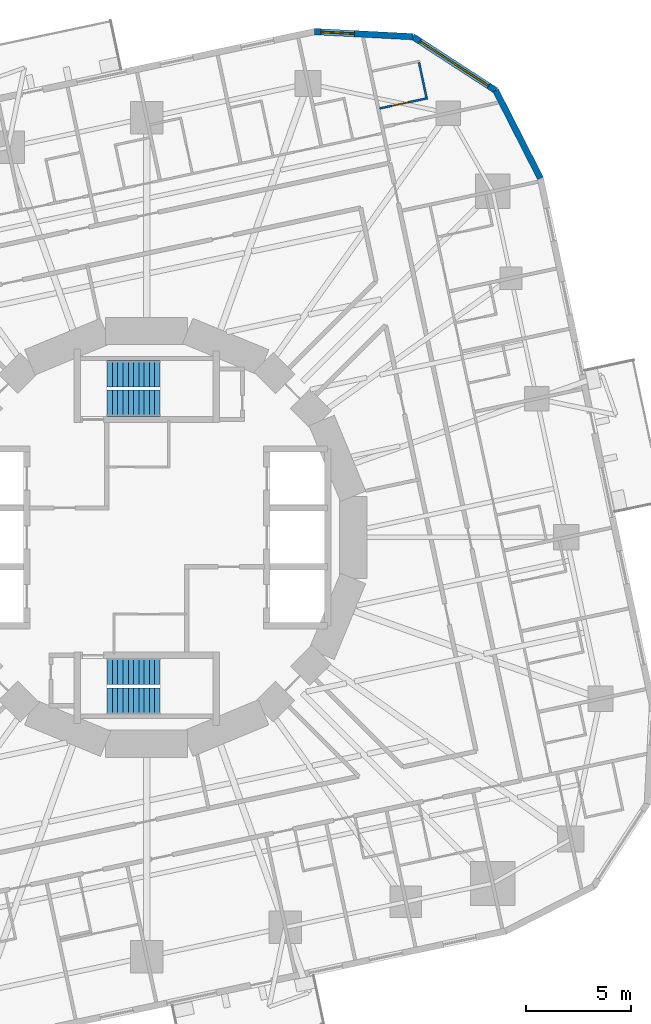
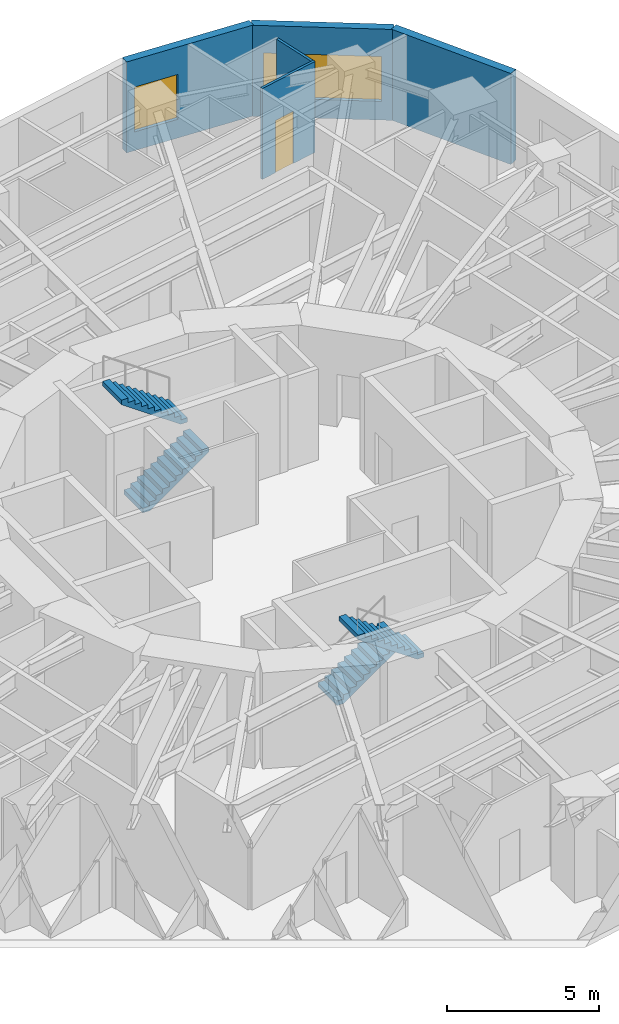
# One storey, part 12 of 14: 5 walls, 4 stair flights, 2 windows, 1 door, 3 openings, 2 elements without a shape of their own.
"""IFC4 building model written with IfcOpenShell, lengths in metres."""

import ifcopenshell
import ifcopenshell.guid

model = None  # the IFC model being written
_history = None  # IfcOwnerHistory: only IFC2X3 demands one
_inside = {}  # id of a spatial element -> (the spatial element, [elements in it])
_under = {}  # id of a project, library or spatial element -> (it, [spatial elements below it])
_declared = {}  # id of a project -> (the project, [libraries it declares])
_typed = {}  # id of a type object -> (the type object, [elements of that type])
_made_of = {}  # id of a material, layer set ... -> (it, [elements and type objects made of it])


def new_model(schema):
    """Start an empty IFC model of exactly this schema.

    Asked for "IFC4X3", IfcOpenShell would pick the latest addendum, in which some entities
    have other attributes; the version numbers below select the first issue.
    IFC2X3 requires an IfcOwnerHistory on every rooted entity: one is made here for all.
    """
    global model, _history
    if schema == "IFC4X3":
        model = ifcopenshell.file(schema_version=(4, 3, 0, 0))
    else:
        model = ifcopenshell.file(schema=schema)
    _inside.clear()
    _under.clear()
    _declared.clear()
    _typed.clear()
    _made_of.clear()
    _history = None
    if model.schema == "IFC2X3":
        org = make("IfcOrganization", Name="unknown")
        user = make(
            "IfcPersonAndOrganization",
            ThePerson=make("IfcPerson", FamilyName="unknown"),
            TheOrganization=org,
        )
        app = make(
            "IfcApplication",
            ApplicationDeveloper=org,
            Version="unknown",
            ApplicationFullName="unknown",
            ApplicationIdentifier="unknown",
        )
        _history = make(
            "IfcOwnerHistory",
            OwningUser=user,
            OwningApplication=app,
            ChangeAction="ADDED",
            CreationDate=0,
        )
    return model


def make(cls, **values):
    """One entity of the class cls with the attributes given. An attribute that is None is left unset."""
    return model.create_entity(
        cls, **{name: value for name, value in values.items() if value is not None}
    )


def rooted(cls, **values):
    """An entity with a GlobalId (a new one), such as an element, a storey or a relation."""
    return make(cls, GlobalId=ifcopenshell.guid.new(), OwnerHistory=_history, **values)


def si_unit(unit_type, name, prefix=None):
    """IfcSIUnit, for example si_unit("LENGTHUNIT", "METRE", prefix="MILLI")."""
    return make("IfcSIUnit", UnitType=unit_type, Prefix=prefix, Name=name)


def assignment(units):
    """IfcUnitAssignment: the units of a project."""
    return None if units is None else make("IfcUnitAssignment", Units=units)


def point(xyz):
    """IfcCartesianPoint."""
    return None if xyz is None else make("IfcCartesianPoint", Coordinates=xyz)


def direction(xyz):
    """IfcDirection."""
    return None if xyz is None else make("IfcDirection", DirectionRatios=xyz)


def frame(location, z_axis=None, x_axis=None):
    """IfcAxis2Placement3D, a coordinate frame: its origin and axes. An axis left out is left unset."""
    return make(
        "IfcAxis2Placement3D",
        Location=point(location),
        Axis=direction(z_axis),
        RefDirection=direction(x_axis),
    )


def frame_2d(location, x_axis=None):
    """IfcAxis2Placement2D, a coordinate frame in the plane: its origin and x axis."""
    return make(
        "IfcAxis2Placement2D", Location=point(location), RefDirection=direction(x_axis)
    )


def origin():
    """The frame at (0, 0, 0) with its axes left unset."""
    return frame((0.0, 0.0, 0.0))


def place(relative_to, where):
    """IfcLocalPlacement: puts the frame where relative to a parent placement (None: the world)."""
    return make(
        "IfcLocalPlacement", PlacementRelTo=relative_to, RelativePlacement=where
    )


def context(
    kind, dimensions, precision=None, world=None, true_north=None, identifier=None
):
    """IfcGeometricRepresentationContext, for example the 3D "Model" context."""
    return make(
        "IfcGeometricRepresentationContext",
        ContextIdentifier=identifier,
        ContextType=kind,
        CoordinateSpaceDimension=dimensions,
        Precision=precision,
        WorldCoordinateSystem=world,
        TrueNorth=true_north,
    )


def subcontext(parent, identifier, kind, view, scale=None):
    """IfcGeometricRepresentationSubContext, for example "Body" below "Model"."""
    return make(
        "IfcGeometricRepresentationSubContext",
        ContextIdentifier=identifier,
        ContextType=kind,
        ParentContext=parent,
        TargetScale=scale,
        TargetView=view,
    )


def project(units=None, contexts=None):
    """IfcProject with its units and contexts."""
    return rooted(
        "IfcProject",
        Name="project",
        RepresentationContexts=contexts,
        UnitsInContext=assignment(units),
    )


def spatial(cls, under=None, at=None, **own):
    """A site, building, storey or space (cls), placed at a placement, below another one or the project."""
    s = rooted(cls, ObjectPlacement=at, **own)
    if under is not None:
        _under.setdefault(under.id(), (under, []))[1].append(s)
    return s


def polyline(points):
    """IfcPolyline through the points."""
    return make("IfcPolyline", Points=[point(p) for p in points])


def profile(cls, at=None, kind="AREA", **sizes):
    """A parametric profile (cls). Its sizes go by their IFC names, for example OverallWidth=200.0."""
    return make(cls, ProfileType=kind, Position=at, **sizes)


def rectangle(**sizes):
    """IfcRectangleProfileDef."""
    return profile("IfcRectangleProfileDef", **sizes)


def outline(outer, holes=None, kind="AREA"):
    """IfcArbitraryClosedProfileDef: a profile drawn as a closed curve; with holes, ...WithVoids."""
    if holes is None:
        return make("IfcArbitraryClosedProfileDef", ProfileType=kind, OuterCurve=outer)
    return make(
        "IfcArbitraryProfileDefWithVoids",
        ProfileType=kind,
        OuterCurve=outer,
        InnerCurves=holes,
    )


def extrude(swept, where, along, depth):
    """IfcExtrudedAreaSolid: the profile swept, set in the frame where, extruded along a direction by depth."""
    return make(
        "IfcExtrudedAreaSolid",
        SweptArea=swept,
        Position=where,
        ExtrudedDirection=direction(along),
        Depth=depth,
    )


def shape(context_of_items, identifier, shape_type, items):
    """IfcShapeRepresentation: the items that make up one representation, for example the "Body"."""
    return make(
        "IfcShapeRepresentation",
        ContextOfItems=context_of_items,
        RepresentationIdentifier=identifier,
        RepresentationType=shape_type,
        Items=items,
    )


def material(Name=None, Category=None):
    """IfcMaterial."""
    return make("IfcMaterial", Name=Name, Category=Category)


def layer(
    of_material, thickness, ventilated=None, Name=None, Category=None, Priority=None
):
    """IfcMaterialLayer: one layer of a wall or slab, of a material (None: an air gap)."""
    return make(
        "IfcMaterialLayer",
        Material=of_material,
        LayerThickness=thickness,
        IsVentilated=ventilated,
        Name=Name,
        Category=Category,
        Priority=Priority,
    )


def layer_set(layers, Name=None):
    """IfcMaterialLayerSet."""
    return make("IfcMaterialLayerSet", MaterialLayers=layers, LayerSetName=Name)


def made_of(thing, what):
    """Note that an element or type object is made of a material, layer set ...; save() writes the relation."""
    if what is not None:
        _made_of.setdefault(what.id(), (what, []))[1].append(thing)
    return thing


def type_object(cls, material=None, **own):
    """A type object (cls), such as IfcWallType, which elements share."""
    return made_of(rooted(cls, **own), material)


def element(
    cls,
    number,
    at=None,
    inside=None,
    cuts=None,
    type_object=None,
    material=None,
    context=None,
    identifier="Body",
    shape_type=None,
    held_by="IfcProductDefinitionShape",
    body=None,
    shapes=None,
    **own,
):
    """One element of the class cls, such as IfcWall. Its Tag is "e" and its number.

    at: its placement. inside: the storey or other place that contains it. cuts: it is an
    opening in that element (IfcRelVoidsElement). A single representation is given by context,
    identifier, shape_type and body (its items); several are given by shapes. held_by: the class
    of the entity that holds the representations. save() writes the other relations.
    """
    e = rooted(cls, Tag="e%d" % number, ObjectPlacement=at, **own)
    if body is not None:
        shapes = [shape(context, identifier, shape_type, body)]
    if shapes is not None:
        e.Representation = make(held_by, Representations=shapes)
    if inside is not None:
        _inside.setdefault(inside.id(), (inside, []))[1].append(e)
    if cuts is not None:
        rooted(
            "IfcRelVoidsElement", RelatingBuildingElement=cuts, RelatedOpeningElement=e
        )
    if type_object is not None:
        _typed.setdefault(type_object.id(), (type_object, []))[1].append(e)
    return made_of(e, material)


def fill(opening, filler):
    """IfcRelFillsElement: the door or window that sits in an opening."""
    return rooted(
        "IfcRelFillsElement",
        RelatingOpeningElement=opening,
        RelatedBuildingElement=filler,
    )


def aggregate(whole, parts):
    """IfcRelAggregates: a whole, such as a stair, and the parts it consists of."""
    return rooted("IfcRelAggregates", RelatingObject=whole, RelatedObjects=parts)


def save(model, path):
    """Write the relations noted so far, then the file.

    IfcRelAggregates (storeys below a building ...), IfcRelContainedInSpatialStructure (elements
    in a storey), IfcRelDefinesByType, IfcRelAssociatesMaterial and IfcRelDeclares: one each for
    every whole, place, type object, material and project.
    """
    for whole, parts in _under.values():
        aggregate(whole, parts)
    for where, things in _inside.values():
        rooted(
            "IfcRelContainedInSpatialStructure",
            RelatedElements=things,
            RelatingStructure=where,
        )
    for kind, things in _typed.values():
        rooted("IfcRelDefinesByType", RelatedObjects=things, RelatingType=kind)
    for what, things in _made_of.values():
        rooted("IfcRelAssociatesMaterial", RelatedObjects=things, RelatingMaterial=what)
    for by, libraries in _declared.values():
        rooted("IfcRelDeclares", RelatingContext=by, RelatedDefinitions=libraries)
    model.write(path)


model = new_model("IFC4")

# Units and contexts
model_context = context("Model", 3, precision=1e-05, world=origin(), true_north=direction((0.0, 1.0)))
body_context = subcontext(model_context, "Body", "Model", "MODEL_VIEW")
ifc_project = project(units=[si_unit("LENGTHUNIT", "METRE"), si_unit("AREAUNIT", "SQUARE_METRE"), si_unit("VOLUMEUNIT", "CUBIC_METRE"), si_unit("PLANEANGLEUNIT", "RADIAN"), si_unit("MASSUNIT", "GRAM", prefix="KILO")], contexts=[model_context])

# Site, building, storey
site_placement = place(None, origin())
site = spatial("IfcSite", under=ifc_project, at=site_placement, CompositionType="ELEMENT")
building_placement = place(site_placement, origin())
building = spatial("IfcBuilding", under=site, at=building_placement, Name="Nakasero Lantern House", CompositionType="ELEMENT")
storey_placement = place(building_placement, frame((0.0, 0.0, 105.0)))
storey = spatial("IfcBuildingStorey", under=building, at=storey_placement, Name="L25", CompositionType="ELEMENT", Elevation=105.0)

# Wall, opening, door
ifc_material_1 = material(Name="Blockwork", Category="masonry")
ifc_layer_1 = layer(ifc_material_1, 0.10009765625)
ifc_layer_set_1 = layer_set([ifc_layer_1], Name="En-suite wall 100")
wall_type_1 = type_object("IfcWallType", Name="En-suite wall 100", PredefinedType="PARTITIONING", material=ifc_layer_set_1)
wall_1_placement = place(storey_placement, frame((11.069091796875, 20.382568359375, 0.0), z_axis=(0.0, 0.0, 1.0), x_axis=(0.978136257952, 0.207965047255, 0.0)))
wall_1 = element("IfcWall", 1, at=wall_1_placement, inside=storey, type_object=wall_type_1, Name="En-suite wall L25 ES0-08", PredefinedType="PARTITIONING", context=body_context, shape_type="SweptSolid", body=[
    extrude(rectangle(XDim=2.3349609375, YDim=0.10009765625, at=frame_2d((1.16748046875, 0.0))), origin(), (0.0, 0.0, 1.0), 3.64990234375),
])
opening_1_placement = place(wall_1_placement, frame((0.5849609375, 0.0, 0.0)))
opening_1 = element("IfcOpeningElement", 2, at=opening_1_placement, cuts=wall_1, Name="Opening D02", PredefinedType="OPENING", context=body_context, shape_type="SweptSolid", body=[
    extrude(rectangle(XDim=0.800048828125, YDim=2.10009765625, at=frame_2d((0.39990234375, 1.050048828125))), frame((0.0, 0.070068359375, 0.0), z_axis=(0.0, -1.0, 0.0), x_axis=(1.0, 0.0, 0.0)), (0.0, 0.0, 1.0), 0.14013671875),
])
ifc_material_2 = material(Name="Timber C24", Category="wood")
door_type = type_object("IfcDoorType", Name="En-suite door 800", OperationType="SINGLE_SWING_RIGHT", PredefinedType="DOOR", material=ifc_material_2)
door_placement = place(opening_1_placement, origin())
door = element("IfcDoor", 3, at=door_placement, inside=storey, type_object=door_type, Name="Door L25 DE0-08", OperationType="SINGLE_SWING_LEFT", OverallHeight=2.10009765625, OverallWidth=0.800048828125, PredefinedType="DOOR", context=body_context, shape_type="SweptSolid", body=[
    extrude(rectangle(XDim=0.800048828125, YDim=2.10009765625, at=frame_2d((0.39990234375, 1.050048828125))), frame((0.0, 0.02490234375, 0.0), z_axis=(0.0, -1.0, 0.0), x_axis=(1.0, 0.0, 0.0)), (0.0, 0.0, 1.0), 0.050048828125),
])
fill(opening_1, door)

# Walls
wall_2_placement = place(storey_placement, frame((13.293701171875, 20.906494140625, 0.0), z_axis=(0.0, 0.0, 1.0), x_axis=(-0.207812379357, 0.978168704767, 0.0)))
element("IfcWall", 4, at=wall_2_placement, inside=storey, type_object=wall_type_1, Name="En-suite wall L25 EE0-08", PredefinedType="PARTITIONING", context=body_context, shape_type="SweptSolid", body=[
    extrude(rectangle(XDim=1.699951171875, YDim=0.10009765625, at=frame_2d((0.85009765625, 0.0))), origin(), (0.0, 0.0, 1.0), 3.64990234375),
])
ifc_material_3 = material(Name="Aluminium rainscreen on blockwork", Category="masonry")
ifc_layer_2 = layer(ifc_material_3, 0.300048828125)
ifc_layer_set_2 = layer_set([ifc_layer_2], Name="Facade wall 300")
wall_type_2 = type_object("IfcWallType", Name="Facade wall 300", PredefinedType="SOLIDWALL", material=ifc_layer_set_2)
wall_3_placement = place(storey_placement, frame((18.711181640625, 17.063232421875, 0.0), z_axis=(0.0, 0.0, 1.0), x_axis=(-0.453975745332, 0.89101404178, 0.0)))
element("IfcWall", 5, at=wall_3_placement, inside=storey, type_object=wall_type_2, Name="Facade wall L25 FW0C1", PredefinedType="SOLIDWALL", context=body_context, shape_type="SweptSolid", body=[
    extrude(rectangle(XDim=4.6845703125, YDim=0.300048828125, at=frame_2d((2.34228515625, 0.0))), origin(), (0.0, 0.0, 1.0), 3.64990234375),
])

# Wall, opening, window
wall_4_placement = place(storey_placement, frame((16.58447265625, 21.2373046875, 0.0), z_axis=(0.0, 0.0, 1.0), x_axis=(-0.838692381994, 0.544605442853, 0.0)))
wall_4 = element("IfcWall", 6, at=wall_4_placement, inside=storey, type_object=wall_type_2, Name="Facade wall L25 FW0C2", PredefinedType="SOLIDWALL", context=body_context, shape_type="SweptSolid", body=[
    extrude(rectangle(XDim=4.6845703125, YDim=0.300048828125, at=frame_2d((2.34228515625, 0.0))), origin(), (0.0, 0.0, 1.0), 3.64990234375),
])
opening_2_placement = place(wall_4_placement, frame((0.39990234375, 0.0, 0.75)))
opening_2 = element("IfcOpeningElement", 7, at=opening_2_placement, cuts=wall_4, Name="Opening W238", PredefinedType="OPENING", context=body_context, shape_type="SweptSolid", body=[
    extrude(rectangle(XDim=3.885009765625, YDim=1.800048828125, at=frame_2d((1.9423828125, 0.89990234375))), frame((0.0, 0.169921875, 0.0), z_axis=(0.0, -1.0, 0.0), x_axis=(1.0, 0.0, 0.0)), (0.0, 0.0, 1.0), 0.340087890625),
])
ifc_material_4 = material(Name="Aluminium 6063-T6 and glass", Category="aluminium")
window_type_1 = type_object("IfcWindowType", Name="Corner window 3885x1800", PartitioningType="SINGLE_PANEL", PredefinedType="WINDOW", material=ifc_material_4)
window_1_placement = place(opening_2_placement, origin())
window_1 = element("IfcWindow", 8, at=window_1_placement, inside=storey, type_object=window_type_1, Name="Window L25 WC0", OverallHeight=1.800048828125, OverallWidth=3.885009765625, PartitioningType="SINGLE_PANEL", PredefinedType="WINDOW", context=body_context, shape_type="SweptSolid", body=[
    extrude(rectangle(XDim=3.885009765625, YDim=1.800048828125, at=frame_2d((1.9423828125, 0.89990234375))), frame((0.0, 0.030029296875, 0.0), z_axis=(0.0, -1.0, 0.0), x_axis=(1.0, 0.0, 0.0)), (0.0, 0.0, 1.0), 0.06005859375),
])
fill(opening_2, window_1)

wall_5_placement = place(storey_placement, frame((12.655517578125, 23.78857421875, 0.0), z_axis=(0.0, 0.0, 1.0), x_axis=(-0.998630039879, 0.052326317, 0.0)))
wall_5 = element("IfcWall", 9, at=wall_5_placement, inside=storey, type_object=wall_type_2, Name="Facade wall L25 FW0C3", PredefinedType="SOLIDWALL", context=body_context, shape_type="SweptSolid", body=[
    extrude(rectangle(XDim=4.684326171875, YDim=0.300048828125, at=frame_2d((2.34228515625, 0.0))), origin(), (0.0, 0.0, 1.0), 3.64990234375),
])
opening_3_placement = place(wall_5_placement, frame((2.784912109375, 0.0, 0.75)))
opening_3 = element("IfcOpeningElement", 10, at=opening_3_placement, cuts=wall_5, Name="Opening W01", PredefinedType="OPENING", context=body_context, shape_type="SweptSolid", body=[
    extrude(rectangle(XDim=1.60009765625, YDim=1.800048828125, at=frame_2d((0.800048828125, 0.89990234375))), frame((0.0, 0.169921875, 0.0), z_axis=(0.0, -1.0, 0.0), x_axis=(1.0, 0.0, 0.0)), (0.0, 0.0, 1.0), 0.340087890625),
])
ifc_material_5 = material(Name="Aluminium 6063-T6 and glass", Category="aluminium")
window_type_2 = type_object("IfcWindowType", Name="Bedroom window 1600x1800", PartitioningType="SINGLE_PANEL", PredefinedType="WINDOW", material=ifc_material_5)
window_2_placement = place(opening_3_placement, origin())
window_2 = element("IfcWindow", 11, at=window_2_placement, inside=storey, type_object=window_type_2, Name="Window L25 WN1-00", OverallHeight=1.800048828125, OverallWidth=1.60009765625, PartitioningType="SINGLE_PANEL", PredefinedType="WINDOW", context=body_context, shape_type="SweptSolid", body=[
    extrude(rectangle(XDim=1.60009765625, YDim=1.800048828125, at=frame_2d((0.800048828125, 0.89990234375))), frame((0.0, 0.030029296875, 0.0), z_axis=(0.0, -1.0, 0.0), x_axis=(1.0, 0.0, 0.0)), (0.0, 0.0, 1.0), 0.06005859375),
])
fill(opening_3, window_2)

# Stair, stair flights
ifc_material_6 = material(Name="Concrete C40/50", Category="concrete")
stair_type_1 = type_object("IfcStairType", Name="Escape stair ST1 22 risers", PredefinedType="HALF_TURN_STAIR", material=ifc_material_6)
stair_1_placement = place(storey_placement, origin())
stair_1 = element("IfcStair", 12, at=stair_1_placement, inside=storey, type_object=stair_type_1, Name="Escape stair ST1 L25", PredefinedType="HALF_TURN_STAIR")
ifc_material_7 = material(Name="Concrete C40/50", Category="concrete")
stair_flight_type = type_object("IfcStairFlightType", Name="Escape stair flight", PredefinedType="STRAIGHT", material=ifc_material_7)
stair_flight_1_placement = place(storey_placement, frame((-1.875, 6.375, 0.0), z_axis=(0.0, 0.0, 1.0), x_axis=(1.0, 0.0, 0.0)))
stair_flight_1 = element("IfcStairFlight", 13, at=stair_flight_1_placement, type_object=stair_flight_type, Name="ST1 flight 1", NumberOfRisers=11, NumberOfTreads=10, PredefinedType="STRAIGHT", RiserHeight=0.175, TreadLength=0.25, context=body_context, shape_type="SweptSolid", body=[
    extrude(outline(polyline([(0.0, 0.0), (0.0, 0.175048828125), (0.25, 0.175048828125), (0.25, 0.35009765625), (0.5, 0.35009765625), (0.5, 0.52490234375), (0.75, 0.52490234375), (0.75, 0.699951171875), (1.0, 0.699951171875), (1.0, 0.875), (1.25, 0.875), (1.25, 1.050048828125), (1.5, 1.050048828125), (1.5, 1.22509765625), (1.75, 1.22509765625), (1.75, 1.39990234375), (2.0, 1.39990234375), (2.0, 1.574951171875), (2.25, 1.574951171875), (2.25, 1.75), (2.5, 1.75), (2.5, 1.925048828125), (2.5, 1.567138671875), (0.261474609375, 0.0), (0.0, 0.0)])), frame((0.0, 0.625, 0.0), z_axis=(0.0, -1.0, 0.0), x_axis=(1.0, 0.0, 0.0)), (0.0, 0.0, 1.0), 1.25),
])
stair_flight_2_placement = place(storey_placement, frame((0.625, 7.77490234375, 1.925048828125), z_axis=(0.0, 0.0, 1.0), x_axis=(-1.0, 0.0, 0.0)))
stair_flight_2 = element("IfcStairFlight", 14, at=stair_flight_2_placement, type_object=stair_flight_type, Name="ST1 flight 2", NumberOfRisers=11, NumberOfTreads=10, PredefinedType="STRAIGHT", RiserHeight=0.175, TreadLength=0.25, context=body_context, shape_type="SweptSolid", body=[
    extrude(outline(polyline([(0.0, 0.0), (0.0, 0.175048828125), (0.25, 0.175048828125), (0.25, 0.35009765625), (0.5, 0.35009765625), (0.5, 0.52490234375), (0.75, 0.52490234375), (0.75, 0.699951171875), (1.0, 0.699951171875), (1.0, 0.875), (1.25, 0.875), (1.25, 1.050048828125), (1.5, 1.050048828125), (1.5, 1.22509765625), (1.75, 1.22509765625), (1.75, 1.39990234375), (2.0, 1.39990234375), (2.0, 1.574951171875), (2.25, 1.574951171875), (2.25, 1.75), (2.5, 1.75), (2.5, 1.925048828125), (2.5, 1.567138671875), (0.261474609375, 0.0), (0.0, 0.0)])), frame((0.0, 0.625, 0.0), z_axis=(0.0, -1.0, 0.0), x_axis=(1.0, 0.0, 0.0)), (0.0, 0.0, 1.0), 1.25),
])
aggregate(stair_1, [stair_flight_1, stair_flight_2])

ifc_material_8 = material(Name="Concrete C40/50", Category="concrete")
stair_type_2 = type_object("IfcStairType", Name="Escape stair ST2 22 risers", PredefinedType="HALF_TURN_STAIR", material=ifc_material_8)
stair_2_placement = place(storey_placement, origin())
stair_2 = element("IfcStair", 15, at=stair_2_placement, inside=storey, type_object=stair_type_2, Name="Escape stair ST2 L25", PredefinedType="HALF_TURN_STAIR")
stair_flight_3_placement = place(storey_placement, frame((-1.875, -6.375, 0.0), z_axis=(0.0, 0.0, 1.0), x_axis=(1.0, 0.0, 0.0)))
stair_flight_3 = element("IfcStairFlight", 16, at=stair_flight_3_placement, type_object=stair_flight_type, Name="ST2 flight 1", NumberOfRisers=11, NumberOfTreads=10, PredefinedType="STRAIGHT", RiserHeight=0.175, TreadLength=0.25, context=body_context, shape_type="SweptSolid", body=[
    extrude(outline(polyline([(0.0, 0.0), (0.0, 0.175048828125), (0.25, 0.175048828125), (0.25, 0.35009765625), (0.5, 0.35009765625), (0.5, 0.52490234375), (0.75, 0.52490234375), (0.75, 0.699951171875), (1.0, 0.699951171875), (1.0, 0.875), (1.25, 0.875), (1.25, 1.050048828125), (1.5, 1.050048828125), (1.5, 1.22509765625), (1.75, 1.22509765625), (1.75, 1.39990234375), (2.0, 1.39990234375), (2.0, 1.574951171875), (2.25, 1.574951171875), (2.25, 1.75), (2.5, 1.75), (2.5, 1.925048828125), (2.5, 1.567138671875), (0.261474609375, 0.0), (0.0, 0.0)])), frame((0.0, 0.625, 0.0), z_axis=(0.0, -1.0, 0.0), x_axis=(1.0, 0.0, 0.0)), (0.0, 0.0, 1.0), 1.25),
])
stair_flight_4_placement = place(storey_placement, frame((0.625, -7.77490234375, 1.925048828125), z_axis=(0.0, 0.0, 1.0), x_axis=(-1.0, 0.0, 0.0)))
stair_flight_4 = element("IfcStairFlight", 17, at=stair_flight_4_placement, type_object=stair_flight_type, Name="ST2 flight 2", NumberOfRisers=11, NumberOfTreads=10, PredefinedType="STRAIGHT", RiserHeight=0.175, TreadLength=0.25, context=body_context, shape_type="SweptSolid", body=[
    extrude(outline(polyline([(0.0, 0.0), (0.0, 0.175048828125), (0.25, 0.175048828125), (0.25, 0.35009765625), (0.5, 0.35009765625), (0.5, 0.52490234375), (0.75, 0.52490234375), (0.75, 0.699951171875), (1.0, 0.699951171875), (1.0, 0.875), (1.25, 0.875), (1.25, 1.050048828125), (1.5, 1.050048828125), (1.5, 1.22509765625), (1.75, 1.22509765625), (1.75, 1.39990234375), (2.0, 1.39990234375), (2.0, 1.574951171875), (2.25, 1.574951171875), (2.25, 1.75), (2.5, 1.75), (2.5, 1.925048828125), (2.5, 1.567138671875), (0.261474609375, 0.0), (0.0, 0.0)])), frame((0.0, 0.625, 0.0), z_axis=(0.0, -1.0, 0.0), x_axis=(1.0, 0.0, 0.0)), (0.0, 0.0, 1.0), 1.25),
])
aggregate(stair_2, [stair_flight_3, stair_flight_4])

save(model, "model.ifc")
